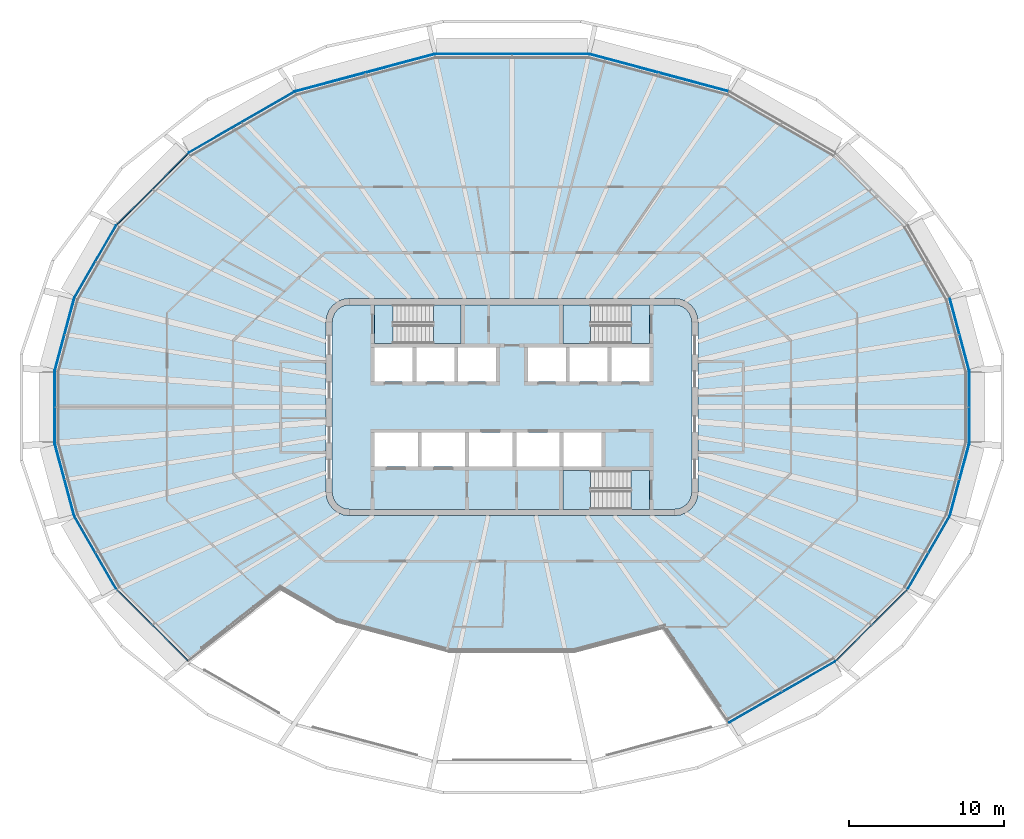
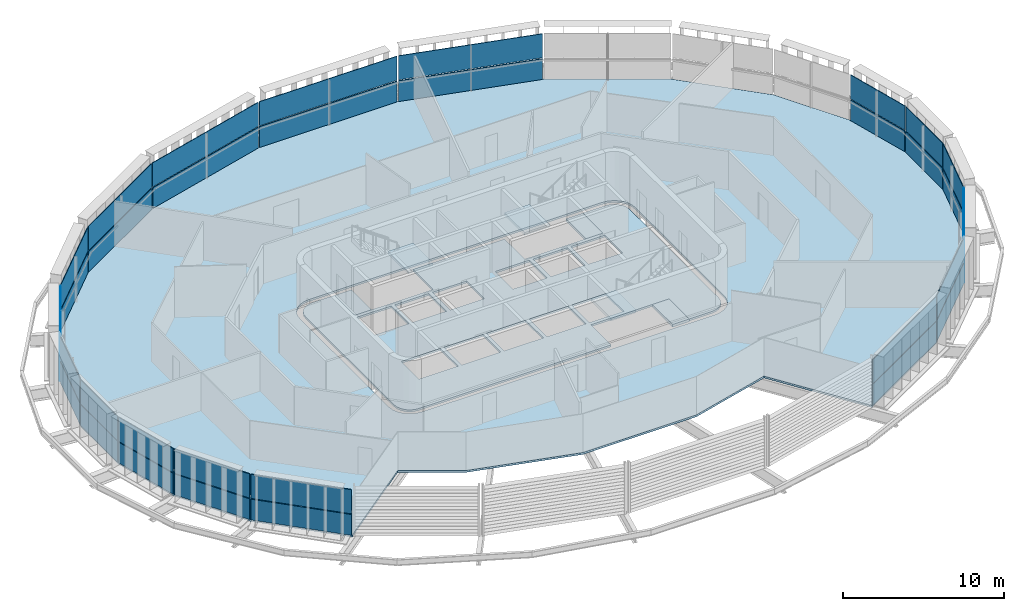
# One storey, part 9 of 19: 34 plates, 8 slabs, 20 elements without a shape of their own.
"""IFC4 building model written with IfcOpenShell, lengths in metres."""

import ifcopenshell
import ifcopenshell.guid

model = None  # the IFC model being written
_history = None  # IfcOwnerHistory: only IFC2X3 demands one
_inside = {}  # id of a spatial element -> (the spatial element, [elements in it])
_under = {}  # id of a project, library or spatial element -> (it, [spatial elements below it])
_declared = {}  # id of a project -> (the project, [libraries it declares])
_typed = {}  # id of a type object -> (the type object, [elements of that type])
_made_of = {}  # id of a material, layer set ... -> (it, [elements and type objects made of it])


def new_model(schema):
    """Start an empty IFC model of exactly this schema.

    Asked for "IFC4X3", IfcOpenShell would pick the latest addendum, in which some entities
    have other attributes; the version numbers below select the first issue.
    IFC2X3 requires an IfcOwnerHistory on every rooted entity: one is made here for all.
    """
    global model, _history
    if schema == "IFC4X3":
        model = ifcopenshell.file(schema_version=(4, 3, 0, 0))
    else:
        model = ifcopenshell.file(schema=schema)
    _inside.clear()
    _under.clear()
    _declared.clear()
    _typed.clear()
    _made_of.clear()
    _history = None
    if model.schema == "IFC2X3":
        org = make("IfcOrganization", Name="unknown")
        user = make(
            "IfcPersonAndOrganization",
            ThePerson=make("IfcPerson", FamilyName="unknown"),
            TheOrganization=org,
        )
        app = make(
            "IfcApplication",
            ApplicationDeveloper=org,
            Version="unknown",
            ApplicationFullName="unknown",
            ApplicationIdentifier="unknown",
        )
        _history = make(
            "IfcOwnerHistory",
            OwningUser=user,
            OwningApplication=app,
            ChangeAction="ADDED",
            CreationDate=0,
        )
    return model


def make(cls, **values):
    """One entity of the class cls with the attributes given. An attribute that is None is left unset."""
    return model.create_entity(
        cls, **{name: value for name, value in values.items() if value is not None}
    )


def rooted(cls, **values):
    """An entity with a GlobalId (a new one), such as an element, a storey or a relation."""
    return make(cls, GlobalId=ifcopenshell.guid.new(), OwnerHistory=_history, **values)


def si_unit(unit_type, name, prefix=None):
    """IfcSIUnit, for example si_unit("LENGTHUNIT", "METRE", prefix="MILLI")."""
    return make("IfcSIUnit", UnitType=unit_type, Prefix=prefix, Name=name)


def assignment(units):
    """IfcUnitAssignment: the units of a project."""
    return None if units is None else make("IfcUnitAssignment", Units=units)


def point(xyz):
    """IfcCartesianPoint."""
    return None if xyz is None else make("IfcCartesianPoint", Coordinates=xyz)


def direction(xyz):
    """IfcDirection."""
    return None if xyz is None else make("IfcDirection", DirectionRatios=xyz)


def frame(location, z_axis=None, x_axis=None):
    """IfcAxis2Placement3D, a coordinate frame: its origin and axes. An axis left out is left unset."""
    return make(
        "IfcAxis2Placement3D",
        Location=point(location),
        Axis=direction(z_axis),
        RefDirection=direction(x_axis),
    )


def origin():
    """The frame at (0, 0, 0) with its axes left unset."""
    return frame((0.0, 0.0, 0.0))


def place(relative_to, where):
    """IfcLocalPlacement: puts the frame where relative to a parent placement (None: the world)."""
    return make(
        "IfcLocalPlacement", PlacementRelTo=relative_to, RelativePlacement=where
    )


def context(
    kind, dimensions, precision=None, world=None, true_north=None, identifier=None
):
    """IfcGeometricRepresentationContext, for example the 3D "Model" context."""
    return make(
        "IfcGeometricRepresentationContext",
        ContextIdentifier=identifier,
        ContextType=kind,
        CoordinateSpaceDimension=dimensions,
        Precision=precision,
        WorldCoordinateSystem=world,
        TrueNorth=true_north,
    )


def subcontext(parent, identifier, kind, view, scale=None):
    """IfcGeometricRepresentationSubContext, for example "Body" below "Model"."""
    return make(
        "IfcGeometricRepresentationSubContext",
        ContextIdentifier=identifier,
        ContextType=kind,
        ParentContext=parent,
        TargetScale=scale,
        TargetView=view,
    )


def project(units=None, contexts=None):
    """IfcProject with its units and contexts."""
    return rooted(
        "IfcProject",
        Name="project",
        RepresentationContexts=contexts,
        UnitsInContext=assignment(units),
    )


def spatial(cls, under=None, at=None, **own):
    """A site, building, storey or space (cls), placed at a placement, below another one or the project."""
    s = rooted(cls, ObjectPlacement=at, **own)
    if under is not None:
        _under.setdefault(under.id(), (under, []))[1].append(s)
    return s


def polyline(points):
    """IfcPolyline through the points."""
    return make("IfcPolyline", Points=[point(p) for p in points])


def outline(outer, holes=None, kind="AREA"):
    """IfcArbitraryClosedProfileDef: a profile drawn as a closed curve; with holes, ...WithVoids."""
    if holes is None:
        return make("IfcArbitraryClosedProfileDef", ProfileType=kind, OuterCurve=outer)
    return make(
        "IfcArbitraryProfileDefWithVoids",
        ProfileType=kind,
        OuterCurve=outer,
        InnerCurves=holes,
    )


def extrude(swept, where, along, depth):
    """IfcExtrudedAreaSolid: the profile swept, set in the frame where, extruded along a direction by depth."""
    return make(
        "IfcExtrudedAreaSolid",
        SweptArea=swept,
        Position=where,
        ExtrudedDirection=direction(along),
        Depth=depth,
    )


def shape(context_of_items, identifier, shape_type, items):
    """IfcShapeRepresentation: the items that make up one representation, for example the "Body"."""
    return make(
        "IfcShapeRepresentation",
        ContextOfItems=context_of_items,
        RepresentationIdentifier=identifier,
        RepresentationType=shape_type,
        Items=items,
    )


def material(Name=None, Category=None):
    """IfcMaterial."""
    return make("IfcMaterial", Name=Name, Category=Category)


def layer(
    of_material, thickness, ventilated=None, Name=None, Category=None, Priority=None
):
    """IfcMaterialLayer: one layer of a wall or slab, of a material (None: an air gap)."""
    return make(
        "IfcMaterialLayer",
        Material=of_material,
        LayerThickness=thickness,
        IsVentilated=ventilated,
        Name=Name,
        Category=Category,
        Priority=Priority,
    )


def layer_set(layers, Name=None):
    """IfcMaterialLayerSet."""
    return make("IfcMaterialLayerSet", MaterialLayers=layers, LayerSetName=Name)


def made_of(thing, what):
    """Note that an element or type object is made of a material, layer set ...; save() writes the relation."""
    if what is not None:
        _made_of.setdefault(what.id(), (what, []))[1].append(thing)
    return thing


def type_object(cls, material=None, **own):
    """A type object (cls), such as IfcWallType, which elements share."""
    return made_of(rooted(cls, **own), material)


def element(
    cls,
    number,
    at=None,
    inside=None,
    cuts=None,
    type_object=None,
    material=None,
    context=None,
    identifier="Body",
    shape_type=None,
    held_by="IfcProductDefinitionShape",
    body=None,
    shapes=None,
    **own,
):
    """One element of the class cls, such as IfcWall. Its Tag is "e" and its number.

    at: its placement. inside: the storey or other place that contains it. cuts: it is an
    opening in that element (IfcRelVoidsElement). A single representation is given by context,
    identifier, shape_type and body (its items); several are given by shapes. held_by: the class
    of the entity that holds the representations. save() writes the other relations.
    """
    e = rooted(cls, Tag="e%d" % number, ObjectPlacement=at, **own)
    if body is not None:
        shapes = [shape(context, identifier, shape_type, body)]
    if shapes is not None:
        e.Representation = make(held_by, Representations=shapes)
    if inside is not None:
        _inside.setdefault(inside.id(), (inside, []))[1].append(e)
    if cuts is not None:
        rooted(
            "IfcRelVoidsElement", RelatingBuildingElement=cuts, RelatedOpeningElement=e
        )
    if type_object is not None:
        _typed.setdefault(type_object.id(), (type_object, []))[1].append(e)
    return made_of(e, material)


def aggregate(whole, parts):
    """IfcRelAggregates: a whole, such as a stair, and the parts it consists of."""
    return rooted("IfcRelAggregates", RelatingObject=whole, RelatedObjects=parts)


def save(model, path):
    """Write the relations noted so far, then the file.

    IfcRelAggregates (storeys below a building ...), IfcRelContainedInSpatialStructure (elements
    in a storey), IfcRelDefinesByType, IfcRelAssociatesMaterial and IfcRelDeclares: one each for
    every whole, place, type object, material and project.
    """
    for whole, parts in _under.values():
        aggregate(whole, parts)
    for where, things in _inside.values():
        rooted(
            "IfcRelContainedInSpatialStructure",
            RelatedElements=things,
            RelatingStructure=where,
        )
    for kind, things in _typed.values():
        rooted("IfcRelDefinesByType", RelatedObjects=things, RelatingType=kind)
    for what, things in _made_of.values():
        rooted("IfcRelAssociatesMaterial", RelatedObjects=things, RelatingMaterial=what)
    for by, libraries in _declared.values():
        rooted("IfcRelDeclares", RelatingContext=by, RelatedDefinitions=libraries)
    model.write(path)


model = new_model("IFC4")

# Units and contexts
model_context = context("Model", 3, precision=1e-05, world=origin(), true_north=direction((0.0, 1.0)))
body_context = subcontext(model_context, "Body", "Model", "MODEL_VIEW")
ifc_project = project(units=[si_unit("LENGTHUNIT", "METRE"), si_unit("AREAUNIT", "SQUARE_METRE"), si_unit("VOLUMEUNIT", "CUBIC_METRE"), si_unit("PLANEANGLEUNIT", "RADIAN"), si_unit("MASSUNIT", "GRAM", prefix="KILO")], contexts=[model_context])

# Site, building, storey
site_placement = place(None, origin())
site = spatial("IfcSite", under=ifc_project, at=site_placement, CompositionType="ELEMENT")
building_placement = place(site_placement, origin())
building = spatial("IfcBuilding", under=site, at=building_placement, Name="Sahrelin Media Tower", CompositionType="ELEMENT")
storey_placement = place(building_placement, frame((0.0, 0.0, 275.0)))
storey = spatial("IfcBuildingStorey", under=building, at=storey_placement, Name="L60", CompositionType="ELEMENT", Elevation=275.0)

# Slabs
ifc_material_1 = material(Name="Concrete C40/50", Category="concrete")
ifc_layer_1 = layer(ifc_material_1, 0.14990234375)
ifc_layer_set_1 = layer_set([ifc_layer_1], Name="Composite floor slab 150")
slab_type_1 = type_object("IfcSlabType", Name="Composite floor slab 150", PredefinedType="FLOOR", material=ifc_layer_set_1)
placement_1 = place(storey_placement, frame((0.0, 0.0, -0.14990234375)))
element("IfcSlab", 1, at=placement_1, inside=storey, type_object=slab_type_1, Name="Floor slab L60", PredefinedType="FLOOR", context=body_context, shape_type="SweptSolid", body=[
    extrude(outline(polyline([(28.23681640625, -7.022216796875), (29.493896484375, -2.330322265625), (29.493896484375, 2.330322265625), (28.23681640625, 7.022216796875), (25.50244140625, 11.75830078125), (20.886474609375, 16.374267578125), (13.996337890625, 20.352294921875), (4.97265625, 22.770263671875), (-4.97265625, 22.770263671875), (-13.996337890625, 20.352294921875), (-20.886474609375, 16.374267578125), (-25.50244140625, 11.75830078125), (-28.23681640625, 7.022216796875), (-29.493896484375, 2.330322265625), (-29.493896484375, -2.330322265625), (-28.23681640625, -7.022216796875), (-25.50244140625, -11.75830078125), (-20.886474609375, -16.374267578125), (-20.8818359375, -16.376953125), (-14.96240234375, -11.734619140625), (-11.302001953125, -13.847900390625), (-4.0537109375, -15.790283203125), (4.0537109375, -15.790283203125), (9.797119140625, -14.251220703125), (13.991943359375, -20.353515625), (13.996337890625, -20.352294921875), (20.886474609375, -16.374267578125), (25.50244140625, -11.75830078125), (28.23681640625, -7.022216796875)]), holes=[polyline([(11.799072265625, 6.25), (11.948974609375, 5.88818359375), (12.0, 5.5), (12.0, -5.5), (11.948974609375, -5.88818359375), (11.799072265625, -6.25), (11.560791015625, -6.560791015625), (11.25, -6.799072265625), (10.88818359375, -6.948974609375), (10.5, -7.0), (-10.5, -7.0), (-10.88818359375, -6.948974609375), (-11.25, -6.799072265625), (-11.560791015625, -6.560791015625), (-11.799072265625, -6.25), (-11.948974609375, -5.88818359375), (-12.0, -5.5), (-12.0, 5.5), (-11.948974609375, 5.88818359375), (-11.799072265625, 6.25), (-11.560791015625, 6.560791015625), (-11.25, 6.799072265625), (-10.88818359375, 6.948974609375), (-10.5, 7.0), (10.5, 7.0), (10.88818359375, 6.948974609375), (11.25, 6.799072265625), (11.560791015625, 6.560791015625), (11.799072265625, 6.25)])]), origin(), (0.0, 0.0, 1.0), 0.14990234375),
])
ifc_layer_2 = layer(ifc_material_1, 0.14990234375)
ifc_layer_set_2 = layer_set([ifc_layer_2], Name="Core floor slab 150")
slab_type_2 = type_object("IfcSlabType", Name="Core floor slab 150", PredefinedType="FLOOR", material=ifc_layer_set_2)
element("IfcSlab", 2, at=placement_1, inside=storey, type_object=slab_type_2, Name="Core floor", PredefinedType="FLOOR", context=body_context, shape_type="SweptSolid", body=[
    extrude(outline(polyline([(-11.60009765625, -5.473876953125), (-11.55908203125, -5.78369140625), (-11.44970703125, -6.04833984375), (-11.275390625, -6.275390625), (-11.04833984375, -6.44970703125), (-10.78369140625, -6.55908203125), (-10.473876953125, -6.60009765625), (3.27490234375, -6.60009765625), (3.27490234375, -4.10009765625), (8.875, -4.10009765625), (8.875, -6.60009765625), (10.473876953125, -6.60009765625), (10.78369140625, -6.55908203125), (11.04833984375, -6.44970703125), (11.275390625, -6.275390625), (11.44970703125, -6.04833984375), (11.55908203125, -5.78369140625), (11.60009765625, -5.473876953125), (11.60009765625, 5.473876953125), (11.55908203125, 5.78369140625), (11.44970703125, 6.04833984375), (11.275390625, 6.275390625), (11.04833984375, 6.44970703125), (10.78369140625, 6.55908203125), (10.473876953125, 6.60009765625), (8.875, 6.60009765625), (8.875, 4.10009765625), (3.27490234375, 4.10009765625), (3.27490234375, 6.60009765625), (-3.27490234375, 6.60009765625), (-3.27490234375, 4.10009765625), (-8.875, 4.10009765625), (-8.875, 6.60009765625), (-10.473876953125, 6.60009765625), (-10.78369140625, 6.55908203125), (-11.04833984375, 6.44970703125), (-11.275390625, 6.275390625), (-11.44970703125, 6.04833984375), (-11.55908203125, 5.78369140625), (-11.60009765625, 5.473876953125), (-11.60009765625, -5.473876953125)]), holes=[polyline([(-8.875, 3.85009765625), (-8.875, 1.64990234375), (-6.425048828125, 1.64990234375), (-6.425048828125, 3.85009765625), (-8.875, 3.85009765625)]), polyline([(-3.72509765625, 3.85009765625), (-6.175048828125, 3.85009765625), (-6.175048828125, 1.64990234375), (-3.72509765625, 1.64990234375), (-3.72509765625, 3.85009765625)]), polyline([(-1.02490234375, 1.64990234375), (-1.02490234375, 3.85009765625), (-3.47509765625, 3.85009765625), (-3.47509765625, 1.64990234375), (-1.02490234375, 1.64990234375)]), polyline([(1.02490234375, 1.64990234375), (3.47509765625, 1.64990234375), (3.47509765625, 3.85009765625), (1.02490234375, 3.85009765625), (1.02490234375, 1.64990234375)]), polyline([(3.72509765625, 3.85009765625), (3.72509765625, 1.64990234375), (6.175048828125, 1.64990234375), (6.175048828125, 3.85009765625), (3.72509765625, 3.85009765625)]), polyline([(8.875, 3.85009765625), (6.425048828125, 3.85009765625), (6.425048828125, 1.64990234375), (8.875, 1.64990234375), (8.875, 3.85009765625)]), polyline([(-6.074951171875, -3.85009765625), (-6.074951171875, -1.64990234375), (-8.875, -1.64990234375), (-8.875, -3.85009765625), (-6.074951171875, -3.85009765625)]), polyline([(-5.824951171875, -3.85009765625), (-3.02490234375, -3.85009765625), (-3.02490234375, -1.64990234375), (-5.824951171875, -1.64990234375), (-5.824951171875, -3.85009765625)]), polyline([(-2.77490234375, -1.64990234375), (-2.77490234375, -3.85009765625), (0.02490234375, -3.85009765625), (0.02490234375, -1.64990234375), (-2.77490234375, -1.64990234375)]), polyline([(3.074951171875, -1.64990234375), (0.27490234375, -1.64990234375), (0.27490234375, -3.85009765625), (3.074951171875, -3.85009765625), (3.074951171875, -1.64990234375)]), polyline([(5.77490234375, -3.85009765625), (5.77490234375, -1.64990234375), (3.324951171875, -1.64990234375), (3.324951171875, -3.85009765625), (5.77490234375, -3.85009765625)])]), origin(), (0.0, 0.0, 1.0), 0.14990234375),
])

# Curtain wall, plate
ifc_material_2 = material(Name="Champagne anodised aluminium 6063-T6", Category="aluminium")
ifc_layer_3 = layer(ifc_material_2, 0.14990234375)
ifc_layer_set_3 = layer_set([ifc_layer_3], Name="Tower ribbon curtain wall")
curtain_wall_type = type_object("IfcCurtainWallType", Name="Tower ribbon curtain wall", PredefinedType="NOTDEFINED", material=ifc_layer_set_3)
curtain_wall_1_placement = place(storey_placement, frame((29.513916015625, 0.0, 0.0), z_axis=(0.0, 0.0, 1.0), x_axis=(1.0, 0.0, 0.0)))
curtain_wall_1 = element("IfcCurtainWall", 3, at=curtain_wall_1_placement, inside=storey, type_object=curtain_wall_type, Name="L60:CW:L60-00", PredefinedType="NOTDEFINED")
ifc_material_3 = material(Name="Clear low-iron glazing", Category="glass")
ifc_layer_4 = layer(ifc_material_3, 0.048095703125)
ifc_layer_set_4 = layer_set([ifc_layer_4], Name="Glazing panel 48 mm CW1C")
plate_type_1 = type_object("IfcPlateType", Name="Glazing panel 48 mm CW1C", PredefinedType="CURTAIN_PANEL", material=ifc_layer_set_4)
plate_1_placement = place(storey_placement, frame((29.533935546875, -2.282958984375, 1.6298828125), z_axis=(1.0, 0.0, 0.0), x_axis=(0.0, 1.0, 0.0)))
plate_1 = element("IfcPlate", 4, at=plate_1_placement, type_object=plate_type_1, Name="L60:CWP2:L60-00", PredefinedType="CURTAIN_PANEL", context=body_context, shape_type="SweptSolid", body=[
    extrude(outline(polyline([(0.0, 0.0), (4.56591796875, 0.0), (4.56591796875, 1.818603515625), (0.0, 1.818603515625), (0.0, 0.0)])), origin(), (0.0, 0.0, -1.0), 0.048095703125),
])

curtain_wall_2_placement = place(storey_placement, frame((28.884765625, 4.681396484375, 0.0), z_axis=(0.0, 0.0, 1.0), x_axis=(1.0, 0.0, 0.0)))
curtain_wall_2 = element("IfcCurtainWall", 5, at=curtain_wall_2_placement, inside=storey, type_object=curtain_wall_type, Name="L60:CW:L60-01", PredefinedType="NOTDEFINED")
plate_2_placement = place(storey_placement, frame((29.5205078125, 2.386474609375, 1.6298828125), z_axis=(0.965925398675, 0.258820640976, 0.0), x_axis=(-0.258820640976, 0.965925398675, 0.0)))
plate_2 = element("IfcPlate", 6, at=plate_2_placement, type_object=plate_type_1, Name="L60:CWP2:L60-01", PredefinedType="CURTAIN_PANEL", context=body_context, shape_type="SweptSolid", body=[
    extrude(outline(polyline([(0.0, 0.0), (4.7626953125, 0.0), (4.7626953125, 1.818603515625), (0.0, 1.818603515625), (0.0, 0.0)])), origin(), (0.0, 0.0, -1.0), 0.048095703125),
])

curtain_wall_3_placement = place(storey_placement, frame((9.489501953125, 21.58056640625, 0.0), z_axis=(0.0, 0.0, 1.0), x_axis=(1.0, 0.0, 0.0)))
curtain_wall_3 = element("IfcCurtainWall", 7, at=curtain_wall_3_placement, inside=storey, type_object=curtain_wall_type, Name="L60:CW:L60-05", PredefinedType="NOTDEFINED")
plate_3_placement = place(storey_placement, frame((13.9609375, 20.4033203125, 1.6298828125), z_axis=(0.258814385666, 0.965927074769, 0.0), x_axis=(-0.965927074769, 0.258814385666, 0.0)))
plate_3 = element("IfcPlate", 8, at=plate_3_placement, type_object=plate_type_1, Name="L60:CWP2:L60-05", PredefinedType="CURTAIN_PANEL", context=body_context, shape_type="SweptSolid", body=[
    extrude(outline(polyline([(0.0, 0.0), (9.247314453125, 0.0), (9.247314453125, 1.818603515625), (0.0, 1.818603515625), (0.0, 0.0)])), origin(), (0.0, 0.0, -1.0), 0.048095703125),
])

curtain_wall_4_placement = place(storey_placement, frame((0.0, 22.790283203125, 0.0), z_axis=(0.0, 0.0, 1.0), x_axis=(1.0, 0.0, 0.0)))
curtain_wall_4 = element("IfcCurtainWall", 9, at=curtain_wall_4_placement, inside=storey, type_object=curtain_wall_type, Name="L60:CW:L60-06", PredefinedType="NOTDEFINED")
plate_4_placement = place(storey_placement, frame((4.92529296875, 22.810302734375, 1.6298828125), z_axis=(0.0, 1.0, 0.0), x_axis=(-1.0, 0.0, 0.0)))
plate_4 = element("IfcPlate", 10, at=plate_4_placement, type_object=plate_type_1, Name="L60:CWP2:L60-06", PredefinedType="CURTAIN_PANEL", context=body_context, shape_type="SweptSolid", body=[
    extrude(outline(polyline([(0.0, 0.0), (9.8505859375, 0.0), (9.8505859375, 1.818603515625), (0.0, 1.818603515625), (0.0, 0.0)])), origin(), (0.0, 0.0, -1.0), 0.048095703125),
])

curtain_wall_5_placement = place(storey_placement, frame((-9.489501953125, 21.58056640625, 0.0), z_axis=(0.0, 0.0, 1.0), x_axis=(1.0, 0.0, 0.0)))
curtain_wall_5 = element("IfcCurtainWall", 11, at=curtain_wall_5_placement, inside=storey, type_object=curtain_wall_type, Name="L60:CW:L60-07", PredefinedType="NOTDEFINED")
plate_5_placement = place(storey_placement, frame((-5.02880859375, 22.796630859375, 1.6298828125), z_axis=(-0.258814385666, 0.965927074769, 0.0), x_axis=(-0.965927074769, -0.258814385666, 0.0)))
plate_5 = element("IfcPlate", 12, at=plate_5_placement, type_object=plate_type_1, Name="L60:CWP2:L60-07", PredefinedType="CURTAIN_PANEL", context=body_context, shape_type="SweptSolid", body=[
    extrude(outline(polyline([(0.0, 0.0), (9.247314453125, 0.0), (9.247314453125, 1.818603515625), (0.0, 1.818603515625), (0.0, 0.0)])), origin(), (0.0, 0.0, -1.0), 0.048095703125),
])

curtain_wall_6_placement = place(storey_placement, frame((-17.451416015625, 18.380615234375, 0.0), z_axis=(0.0, 0.0, 1.0), x_axis=(1.0, 0.0, 0.0)))
curtain_wall_6 = element("IfcCurtainWall", 13, at=curtain_wall_6_placement, inside=storey, type_object=curtain_wall_type, Name="L60:CW:L60-08", PredefinedType="NOTDEFINED")
plate_6_placement = place(storey_placement, frame((-14.057373046875, 20.36328125, 1.6298828125), z_axis=(-0.500000242082, 0.866025264018, 0.0), x_axis=(-0.866025264018, -0.500000242082, 0.0)))
plate_6 = element("IfcPlate", 14, at=plate_6_placement, type_object=plate_type_1, Name="L60:CWP2:L60-08", PredefinedType="CURTAIN_PANEL", context=body_context, shape_type="SweptSolid", body=[
    extrude(outline(polyline([(0.0, 0.0), (7.861328125, 0.0), (7.861328125, 1.818603515625), (0.0, 1.818603515625), (0.0, 0.0)])), origin(), (0.0, 0.0, -1.0), 0.048095703125),
])

curtain_wall_7_placement = place(storey_placement, frame((-23.208740234375, 14.080322265625, 0.0), z_axis=(0.0, 0.0, 1.0), x_axis=(1.0, 0.0, 0.0)))
curtain_wall_7 = element("IfcCurtainWall", 15, at=curtain_wall_7_placement, inside=storey, type_object=curtain_wall_type, Name="L60:CW:L60-09", PredefinedType="NOTDEFINED")
plate_7_placement = place(storey_placement, frame((-20.9482421875, 16.368896484375, 1.6298828125), z_axis=(-0.707087805841, 0.707125756023, 0.0), x_axis=(-0.707125756023, -0.707087805841, 0.0)))
plate_7 = element("IfcPlate", 16, at=plate_7_placement, type_object=plate_type_1, Name="L60:CWP2:L60-09", PredefinedType="CURTAIN_PANEL", context=body_context, shape_type="SweptSolid", body=[
    extrude(outline(polyline([(0.0, 0.0), (6.43310546875, 0.0), (6.43310546875, 1.818603515625), (0.0, 1.818603515625), (0.0, 0.0)])), origin(), (0.0, 0.0, -1.0), 0.048095703125),
])

curtain_wall_8_placement = place(storey_placement, frame((-26.886962890625, 9.400146484375, 0.0), z_axis=(0.0, 0.0, 1.0), x_axis=(1.0, 0.0, 0.0)))
curtain_wall_8 = element("IfcCurtainWall", 17, at=curtain_wall_8_placement, inside=storey, type_object=curtain_wall_type, Name="L60:CW:L60-10", PredefinedType="NOTDEFINED")
plate_8_placement = place(storey_placement, frame((-25.560791015625, 11.7373046875, 1.6298828125), z_axis=(-0.866025958161, 0.49999903979, 0.0), x_axis=(-0.49999903979, -0.866025958161, 0.0)))
plate_8 = element("IfcPlate", 18, at=plate_8_placement, type_object=plate_type_1, Name="L60:CWP2:L60-10", PredefinedType="CURTAIN_PANEL", context=body_context, shape_type="SweptSolid", body=[
    extrude(outline(polyline([(0.0, 0.0), (5.3740234375, 0.0), (5.3740234375, 1.818603515625), (0.0, 1.818603515625), (0.0, 0.0)])), origin(), (0.0, 0.0, -1.0), 0.048095703125),
])

curtain_wall_9_placement = place(storey_placement, frame((-28.884765625, 4.681396484375, 0.0), z_axis=(0.0, 0.0, 1.0), x_axis=(1.0, 0.0, 0.0)))
curtain_wall_9 = element("IfcCurtainWall", 19, at=curtain_wall_9_placement, inside=storey, type_object=curtain_wall_type, Name="L60:CW:L60-11", PredefinedType="NOTDEFINED")
plate_9_placement = place(storey_placement, frame((-28.287841796875, 6.98681640625, 1.6298828125), z_axis=(-0.965925398675, 0.258820640976, 0.0), x_axis=(-0.258820640976, -0.965925398675, 0.0)))
plate_9 = element("IfcPlate", 20, at=plate_9_placement, type_object=plate_type_1, Name="L60:CWP2:L60-11", PredefinedType="CURTAIN_PANEL", context=body_context, shape_type="SweptSolid", body=[
    extrude(outline(polyline([(0.0, 0.0), (4.7626953125, 0.0), (4.7626953125, 1.818603515625), (0.0, 1.818603515625), (0.0, 0.0)])), origin(), (0.0, 0.0, -1.0), 0.048095703125),
])

curtain_wall_10_placement = place(storey_placement, frame((-29.513916015625, 0.0, 0.0), z_axis=(0.0, 0.0, 1.0), x_axis=(1.0, 0.0, 0.0)))
curtain_wall_10 = element("IfcCurtainWall", 21, at=curtain_wall_10_placement, inside=storey, type_object=curtain_wall_type, Name="L60:CW:L60-12", PredefinedType="NOTDEFINED")
plate_10_placement = place(storey_placement, frame((-29.533935546875, 2.282958984375, 1.6298828125), z_axis=(-1.0, 0.0, 0.0), x_axis=(0.0, -1.0, 0.0)))
plate_10 = element("IfcPlate", 22, at=plate_10_placement, type_object=plate_type_1, Name="L60:CWP2:L60-12", PredefinedType="CURTAIN_PANEL", context=body_context, shape_type="SweptSolid", body=[
    extrude(outline(polyline([(0.0, 0.0), (4.56591796875, 0.0), (4.56591796875, 1.818603515625), (0.0, 1.818603515625), (0.0, 0.0)])), origin(), (0.0, 0.0, -1.0), 0.048095703125),
])

curtain_wall_11_placement = place(storey_placement, frame((-28.884765625, -4.681396484375, 0.0), z_axis=(0.0, 0.0, 1.0), x_axis=(1.0, 0.0, 0.0)))
curtain_wall_11 = element("IfcCurtainWall", 23, at=curtain_wall_11_placement, inside=storey, type_object=curtain_wall_type, Name="L60:CW:L60-13", PredefinedType="NOTDEFINED")
plate_11_placement = place(storey_placement, frame((-29.5205078125, -2.386474609375, 1.6298828125), z_axis=(-0.965925398675, -0.258820640976, 0.0), x_axis=(0.258820640976, -0.965925398675, 0.0)))
plate_11 = element("IfcPlate", 24, at=plate_11_placement, type_object=plate_type_1, Name="L60:CWP2:L60-13", PredefinedType="CURTAIN_PANEL", context=body_context, shape_type="SweptSolid", body=[
    extrude(outline(polyline([(0.0, 0.0), (4.7626953125, 0.0), (4.7626953125, 1.818603515625), (0.0, 1.818603515625), (0.0, 0.0)])), origin(), (0.0, 0.0, -1.0), 0.048095703125),
])

curtain_wall_12_placement = place(storey_placement, frame((-26.886962890625, -9.400146484375, 0.0), z_axis=(0.0, 0.0, 1.0), x_axis=(1.0, 0.0, 0.0)))
curtain_wall_12 = element("IfcCurtainWall", 25, at=curtain_wall_12_placement, inside=storey, type_object=curtain_wall_type, Name="L60:CW:L60-14", PredefinedType="NOTDEFINED")
plate_12_placement = place(storey_placement, frame((-28.247802734375, -7.083251953125, 1.6298828125), z_axis=(-0.866025958161, -0.49999903979, 0.0), x_axis=(0.49999903979, -0.866025958161, 0.0)))
plate_12 = element("IfcPlate", 26, at=plate_12_placement, type_object=plate_type_1, Name="L60:CWP2:L60-14", PredefinedType="CURTAIN_PANEL", context=body_context, shape_type="SweptSolid", body=[
    extrude(outline(polyline([(0.0, 0.0), (5.3740234375, 0.0), (5.3740234375, 1.818603515625), (0.0, 1.818603515625), (0.0, 0.0)])), origin(), (0.0, 0.0, -1.0), 0.048095703125),
])

curtain_wall_13_placement = place(storey_placement, frame((-23.20849609375, -14.080322265625, 0.0), z_axis=(0.0, 0.0, 1.0), x_axis=(1.0, 0.0, 0.0)))
curtain_wall_13 = element("IfcCurtainWall", 27, at=curtain_wall_13_placement, inside=storey, type_object=curtain_wall_type, Name="L60:CW:L60-15", PredefinedType="NOTDEFINED")
plate_13_placement = place(storey_placement, frame((-25.497314453125, -11.820068359375, 1.6298828125), z_axis=(-0.707087805841, -0.707125756023, 0.0), x_axis=(0.707125756023, -0.707087805841, 0.0)))
plate_13 = element("IfcPlate", 28, at=plate_13_placement, type_object=plate_type_1, Name="L60:CWP2:L60-15", PredefinedType="CURTAIN_PANEL", context=body_context, shape_type="SweptSolid", body=[
    extrude(outline(polyline([(0.0, 0.0), (6.43310546875, 0.0), (6.43310546875, 1.818603515625), (0.0, 1.818603515625), (0.0, 0.0)])), origin(), (0.0, 0.0, -1.0), 0.048095703125),
])

curtain_wall_14_placement = place(storey_placement, frame((17.451416015625, -18.380615234375, 0.0), z_axis=(0.0, 0.0, 1.0), x_axis=(1.0, 0.0, 0.0)))
curtain_wall_14 = element("IfcCurtainWall", 29, at=curtain_wall_14_placement, inside=storey, type_object=curtain_wall_type, Name="L60:CW:L60-20", PredefinedType="NOTDEFINED")
plate_14_placement = place(storey_placement, frame((14.057373046875, -20.36328125, 1.6298828125), z_axis=(0.500000242082, -0.866025264018, 0.0), x_axis=(0.866025264018, 0.500000242082, 0.0)))
plate_14 = element("IfcPlate", 30, at=plate_14_placement, type_object=plate_type_1, Name="L60:CWP2:L60-20", PredefinedType="CURTAIN_PANEL", context=body_context, shape_type="SweptSolid", body=[
    extrude(outline(polyline([(0.0, 0.0), (7.861328125, 0.0), (7.861328125, 1.818603515625), (0.0, 1.818603515625), (0.0, 0.0)])), origin(), (0.0, 0.0, -1.0), 0.048095703125),
])

curtain_wall_15_placement = place(storey_placement, frame((23.208740234375, -14.080322265625, 0.0), z_axis=(0.0, 0.0, 1.0), x_axis=(1.0, 0.0, 0.0)))
curtain_wall_15 = element("IfcCurtainWall", 31, at=curtain_wall_15_placement, inside=storey, type_object=curtain_wall_type, Name="L60:CW:L60-21", PredefinedType="NOTDEFINED")
plate_15_placement = place(storey_placement, frame((20.9482421875, -16.368896484375, 1.6298828125), z_axis=(0.707087805841, -0.707125756023, 0.0), x_axis=(0.707125756023, 0.707087805841, 0.0)))
plate_15 = element("IfcPlate", 32, at=plate_15_placement, type_object=plate_type_1, Name="L60:CWP2:L60-21", PredefinedType="CURTAIN_PANEL", context=body_context, shape_type="SweptSolid", body=[
    extrude(outline(polyline([(0.0, 0.0), (6.43310546875, 0.0), (6.43310546875, 1.818603515625), (0.0, 1.818603515625), (0.0, 0.0)])), origin(), (0.0, 0.0, -1.0), 0.048095703125),
])

curtain_wall_16_placement = place(storey_placement, frame((26.886962890625, -9.400146484375, 0.0), z_axis=(0.0, 0.0, 1.0), x_axis=(1.0, 0.0, 0.0)))
curtain_wall_16 = element("IfcCurtainWall", 33, at=curtain_wall_16_placement, inside=storey, type_object=curtain_wall_type, Name="L60:CW:L60-22", PredefinedType="NOTDEFINED")
plate_16_placement = place(storey_placement, frame((25.560791015625, -11.7373046875, 1.6298828125), z_axis=(0.866025958161, -0.49999903979, 0.0), x_axis=(0.49999903979, 0.866025958161, 0.0)))
plate_16 = element("IfcPlate", 34, at=plate_16_placement, type_object=plate_type_1, Name="L60:CWP2:L60-22", PredefinedType="CURTAIN_PANEL", context=body_context, shape_type="SweptSolid", body=[
    extrude(outline(polyline([(0.0, 0.0), (5.3740234375, 0.0), (5.3740234375, 1.818603515625), (0.0, 1.818603515625), (0.0, 0.0)])), origin(), (0.0, 0.0, -1.0), 0.048095703125),
])

curtain_wall_17_placement = place(storey_placement, frame((28.884765625, -4.681396484375, 0.0), z_axis=(0.0, 0.0, 1.0), x_axis=(1.0, 0.0, 0.0)))
curtain_wall_17 = element("IfcCurtainWall", 35, at=curtain_wall_17_placement, inside=storey, type_object=curtain_wall_type, Name="L60:CW:L60-23", PredefinedType="NOTDEFINED")
plate_17_placement = place(storey_placement, frame((28.287841796875, -6.98681640625, 1.6298828125), z_axis=(0.965925398675, -0.258820640976, 0.0), x_axis=(0.258820640976, 0.965925398675, 0.0)))
plate_17 = element("IfcPlate", 36, at=plate_17_placement, type_object=plate_type_1, Name="L60:CWP2:L60-23", PredefinedType="CURTAIN_PANEL", context=body_context, shape_type="SweptSolid", body=[
    extrude(outline(polyline([(0.0, 0.0), (4.7626953125, 0.0), (4.7626953125, 1.818603515625), (0.0, 1.818603515625), (0.0, 0.0)])), origin(), (0.0, 0.0, -1.0), 0.048095703125),
])

# Plate
ifc_material_4 = material(Name="Insulated spandrel panel")
ifc_layer_5 = layer(ifc_material_4, 0.06005859375)
ifc_layer_set_5 = layer_set([ifc_layer_5], Name="Spandrel panel 60 mm CW1")
plate_type_2 = type_object("IfcPlateType", Name="Spandrel panel 60 mm CW1", PredefinedType="SHEET", material=ifc_layer_set_5)
plate_18_placement = place(storey_placement, frame((29.533935546875, -2.282958984375, 0.0), z_axis=(1.0, 0.0, 0.0), x_axis=(0.0, 1.0, 0.0)))
plate_18 = element("IfcPlate", 37, at=plate_18_placement, type_object=plate_type_2, Name="L60:CWP1:L60-00", PredefinedType="SHEET", context=body_context, shape_type="SweptSolid", body=[
    extrude(outline(polyline([(0.0, 0.0), (4.56591796875, 0.0), (4.56591796875, 1.570068359375), (0.0, 1.570068359375), (0.0, 0.0)])), origin(), (0.0, 0.0, -1.0), 0.06005859375),
])

aggregate(curtain_wall_1, [plate_18, plate_1])

plate_19_placement = place(storey_placement, frame((29.5205078125, 2.386474609375, 0.0), z_axis=(0.965925398675, 0.258820640976, 0.0), x_axis=(-0.258820640976, 0.965925398675, 0.0)))
plate_19 = element("IfcPlate", 38, at=plate_19_placement, type_object=plate_type_2, Name="L60:CWP1:L60-01", PredefinedType="SHEET", context=body_context, shape_type="SweptSolid", body=[
    extrude(outline(polyline([(0.0, 0.0), (4.7626953125, 0.0), (4.7626953125, 1.570068359375), (0.0, 1.570068359375), (0.0, 0.0)])), origin(), (0.0, 0.0, -1.0), 0.06005859375),
])

aggregate(curtain_wall_2, [plate_19, plate_2])

plate_20_placement = place(storey_placement, frame((13.9609375, 20.4033203125, 0.0), z_axis=(0.258814385666, 0.965927074769, 0.0), x_axis=(-0.965927074769, 0.258814385666, 0.0)))
plate_20 = element("IfcPlate", 39, at=plate_20_placement, type_object=plate_type_2, Name="L60:CWP1:L60-05", PredefinedType="SHEET", context=body_context, shape_type="SweptSolid", body=[
    extrude(outline(polyline([(0.0, 0.0), (9.247314453125, 0.0), (9.247314453125, 1.570068359375), (0.0, 1.570068359375), (0.0, 0.0)])), origin(), (0.0, 0.0, -1.0), 0.06005859375),
])

aggregate(curtain_wall_3, [plate_20, plate_3])

plate_21_placement = place(storey_placement, frame((4.92529296875, 22.810302734375, 0.0), z_axis=(0.0, 1.0, 0.0), x_axis=(-1.0, 0.0, 0.0)))
plate_21 = element("IfcPlate", 40, at=plate_21_placement, type_object=plate_type_2, Name="L60:CWP1:L60-06", PredefinedType="SHEET", context=body_context, shape_type="SweptSolid", body=[
    extrude(outline(polyline([(0.0, 0.0), (9.8505859375, 0.0), (9.8505859375, 1.570068359375), (0.0, 1.570068359375), (0.0, 0.0)])), origin(), (0.0, 0.0, -1.0), 0.06005859375),
])

aggregate(curtain_wall_4, [plate_21, plate_4])

plate_22_placement = place(storey_placement, frame((-5.02880859375, 22.796630859375, 0.0), z_axis=(-0.258814385666, 0.965927074769, 0.0), x_axis=(-0.965927074769, -0.258814385666, 0.0)))
plate_22 = element("IfcPlate", 41, at=plate_22_placement, type_object=plate_type_2, Name="L60:CWP1:L60-07", PredefinedType="SHEET", context=body_context, shape_type="SweptSolid", body=[
    extrude(outline(polyline([(0.0, 0.0), (9.247314453125, 0.0), (9.247314453125, 1.570068359375), (0.0, 1.570068359375), (0.0, 0.0)])), origin(), (0.0, 0.0, -1.0), 0.06005859375),
])

aggregate(curtain_wall_5, [plate_22, plate_5])

plate_23_placement = place(storey_placement, frame((-14.057373046875, 20.36328125, 0.0), z_axis=(-0.500000242082, 0.866025264018, 0.0), x_axis=(-0.866025264018, -0.500000242082, 0.0)))
plate_23 = element("IfcPlate", 42, at=plate_23_placement, type_object=plate_type_2, Name="L60:CWP1:L60-08", PredefinedType="SHEET", context=body_context, shape_type="SweptSolid", body=[
    extrude(outline(polyline([(0.0, 0.0), (7.861328125, 0.0), (7.861328125, 1.570068359375), (0.0, 1.570068359375), (0.0, 0.0)])), origin(), (0.0, 0.0, -1.0), 0.06005859375),
])

aggregate(curtain_wall_6, [plate_23, plate_6])

plate_24_placement = place(storey_placement, frame((-20.9482421875, 16.368896484375, 0.0), z_axis=(-0.707087805841, 0.707125756023, 0.0), x_axis=(-0.707125756023, -0.707087805841, 0.0)))
plate_24 = element("IfcPlate", 43, at=plate_24_placement, type_object=plate_type_2, Name="L60:CWP1:L60-09", PredefinedType="SHEET", context=body_context, shape_type="SweptSolid", body=[
    extrude(outline(polyline([(0.0, 0.0), (6.43310546875, 0.0), (6.43310546875, 1.570068359375), (0.0, 1.570068359375), (0.0, 0.0)])), origin(), (0.0, 0.0, -1.0), 0.06005859375),
])

aggregate(curtain_wall_7, [plate_24, plate_7])

plate_25_placement = place(storey_placement, frame((-25.560791015625, 11.7373046875, 0.0), z_axis=(-0.866025958161, 0.49999903979, 0.0), x_axis=(-0.49999903979, -0.866025958161, 0.0)))
plate_25 = element("IfcPlate", 44, at=plate_25_placement, type_object=plate_type_2, Name="L60:CWP1:L60-10", PredefinedType="SHEET", context=body_context, shape_type="SweptSolid", body=[
    extrude(outline(polyline([(0.0, 0.0), (5.3740234375, 0.0), (5.3740234375, 1.570068359375), (0.0, 1.570068359375), (0.0, 0.0)])), origin(), (0.0, 0.0, -1.0), 0.06005859375),
])

aggregate(curtain_wall_8, [plate_25, plate_8])

plate_26_placement = place(storey_placement, frame((-28.287841796875, 6.98681640625, 0.0), z_axis=(-0.965925398675, 0.258820640976, 0.0), x_axis=(-0.258820640976, -0.965925398675, 0.0)))
plate_26 = element("IfcPlate", 45, at=plate_26_placement, type_object=plate_type_2, Name="L60:CWP1:L60-11", PredefinedType="SHEET", context=body_context, shape_type="SweptSolid", body=[
    extrude(outline(polyline([(0.0, 0.0), (4.7626953125, 0.0), (4.7626953125, 1.570068359375), (0.0, 1.570068359375), (0.0, 0.0)])), origin(), (0.0, 0.0, -1.0), 0.06005859375),
])

aggregate(curtain_wall_9, [plate_26, plate_9])

plate_27_placement = place(storey_placement, frame((-29.533935546875, 2.282958984375, 0.0), z_axis=(-1.0, 0.0, 0.0), x_axis=(0.0, -1.0, 0.0)))
plate_27 = element("IfcPlate", 46, at=plate_27_placement, type_object=plate_type_2, Name="L60:CWP1:L60-12", PredefinedType="SHEET", context=body_context, shape_type="SweptSolid", body=[
    extrude(outline(polyline([(0.0, 0.0), (4.56591796875, 0.0), (4.56591796875, 1.570068359375), (0.0, 1.570068359375), (0.0, 0.0)])), origin(), (0.0, 0.0, -1.0), 0.06005859375),
])

aggregate(curtain_wall_10, [plate_27, plate_10])

plate_28_placement = place(storey_placement, frame((-29.5205078125, -2.386474609375, 0.0), z_axis=(-0.965925398675, -0.258820640976, 0.0), x_axis=(0.258820640976, -0.965925398675, 0.0)))
plate_28 = element("IfcPlate", 47, at=plate_28_placement, type_object=plate_type_2, Name="L60:CWP1:L60-13", PredefinedType="SHEET", context=body_context, shape_type="SweptSolid", body=[
    extrude(outline(polyline([(0.0, 0.0), (4.7626953125, 0.0), (4.7626953125, 1.570068359375), (0.0, 1.570068359375), (0.0, 0.0)])), origin(), (0.0, 0.0, -1.0), 0.06005859375),
])

aggregate(curtain_wall_11, [plate_28, plate_11])

plate_29_placement = place(storey_placement, frame((-28.247802734375, -7.083251953125, 0.0), z_axis=(-0.866025958161, -0.49999903979, 0.0), x_axis=(0.49999903979, -0.866025958161, 0.0)))
plate_29 = element("IfcPlate", 48, at=plate_29_placement, type_object=plate_type_2, Name="L60:CWP1:L60-14", PredefinedType="SHEET", context=body_context, shape_type="SweptSolid", body=[
    extrude(outline(polyline([(0.0, 0.0), (5.3740234375, 0.0), (5.3740234375, 1.570068359375), (0.0, 1.570068359375), (0.0, 0.0)])), origin(), (0.0, 0.0, -1.0), 0.06005859375),
])

aggregate(curtain_wall_12, [plate_29, plate_12])

plate_30_placement = place(storey_placement, frame((-25.497314453125, -11.820068359375, 0.0), z_axis=(-0.707087805841, -0.707125756023, 0.0), x_axis=(0.707125756023, -0.707087805841, 0.0)))
plate_30 = element("IfcPlate", 49, at=plate_30_placement, type_object=plate_type_2, Name="L60:CWP1:L60-15", PredefinedType="SHEET", context=body_context, shape_type="SweptSolid", body=[
    extrude(outline(polyline([(0.0, 0.0), (6.43310546875, 0.0), (6.43310546875, 1.570068359375), (0.0, 1.570068359375), (0.0, 0.0)])), origin(), (0.0, 0.0, -1.0), 0.06005859375),
])

aggregate(curtain_wall_13, [plate_30, plate_13])

plate_31_placement = place(storey_placement, frame((14.057373046875, -20.36328125, 0.0), z_axis=(0.500000242082, -0.866025264018, 0.0), x_axis=(0.866025264018, 0.500000242082, 0.0)))
plate_31 = element("IfcPlate", 50, at=plate_31_placement, type_object=plate_type_2, Name="L60:CWP1:L60-20", PredefinedType="SHEET", context=body_context, shape_type="SweptSolid", body=[
    extrude(outline(polyline([(0.0, 0.0), (7.861328125, 0.0), (7.861328125, 1.570068359375), (0.0, 1.570068359375), (0.0, 0.0)])), origin(), (0.0, 0.0, -1.0), 0.06005859375),
])

aggregate(curtain_wall_14, [plate_31, plate_14])

plate_32_placement = place(storey_placement, frame((20.9482421875, -16.368896484375, 0.0), z_axis=(0.707087805841, -0.707125756023, 0.0), x_axis=(0.707125756023, 0.707087805841, 0.0)))
plate_32 = element("IfcPlate", 51, at=plate_32_placement, type_object=plate_type_2, Name="L60:CWP1:L60-21", PredefinedType="SHEET", context=body_context, shape_type="SweptSolid", body=[
    extrude(outline(polyline([(0.0, 0.0), (6.43310546875, 0.0), (6.43310546875, 1.570068359375), (0.0, 1.570068359375), (0.0, 0.0)])), origin(), (0.0, 0.0, -1.0), 0.06005859375),
])

aggregate(curtain_wall_15, [plate_32, plate_15])

plate_33_placement = place(storey_placement, frame((25.560791015625, -11.7373046875, 0.0), z_axis=(0.866025958161, -0.49999903979, 0.0), x_axis=(0.49999903979, 0.866025958161, 0.0)))
plate_33 = element("IfcPlate", 52, at=plate_33_placement, type_object=plate_type_2, Name="L60:CWP1:L60-22", PredefinedType="SHEET", context=body_context, shape_type="SweptSolid", body=[
    extrude(outline(polyline([(0.0, 0.0), (5.3740234375, 0.0), (5.3740234375, 1.570068359375), (0.0, 1.570068359375), (0.0, 0.0)])), origin(), (0.0, 0.0, -1.0), 0.06005859375),
])

aggregate(curtain_wall_16, [plate_33, plate_16])

plate_34_placement = place(storey_placement, frame((28.287841796875, -6.98681640625, 0.0), z_axis=(0.965925398675, -0.258820640976, 0.0), x_axis=(0.258820640976, 0.965925398675, 0.0)))
plate_34 = element("IfcPlate", 53, at=plate_34_placement, type_object=plate_type_2, Name="L60:CWP1:L60-23", PredefinedType="SHEET", context=body_context, shape_type="SweptSolid", body=[
    extrude(outline(polyline([(0.0, 0.0), (4.7626953125, 0.0), (4.7626953125, 1.570068359375), (0.0, 1.570068359375), (0.0, 0.0)])), origin(), (0.0, 0.0, -1.0), 0.06005859375),
])

aggregate(curtain_wall_17, [plate_34, plate_17])

# Stair, slabs
stair_type = type_object("IfcStairType", Name="Exit stair 1200", PredefinedType="HALF_TURN_STAIR", material=ifc_material_1)
placement_2 = place(storey_placement, origin())
stair_1 = element("IfcStair", 54, at=placement_2, inside=storey, type_object=stair_type, Name="L60 Exit stair ST1", PredefinedType="HALF_TURN_STAIR")
ifc_layer_6 = layer(ifc_material_1, 0.199951171875)
ifc_layer_set_6 = layer_set([ifc_layer_6], Name="Stair landing 200")
slab_type_3 = type_object("IfcSlabType", Name="Stair landing 200", PredefinedType="LANDING", material=ifc_layer_set_6)
placement_3 = place(storey_placement, frame((0.0, 0.0, 1.800048828125)))
slab_3 = element("IfcSlab", 55, at=placement_3, type_object=slab_type_3, Name="ST1 landing 1", PredefinedType="LANDING", context=body_context, shape_type="SweptSolid", body=[
    extrude(outline(polyline([(-5.074951171875, 4.10009765625), (-3.27490234375, 4.10009765625), (-3.27490234375, 6.60009765625), (-5.074951171875, 6.60009765625), (-5.074951171875, 4.10009765625)])), origin(), (0.0, 0.0, 1.0), 0.199951171875),
])
placement_4 = place(storey_placement, frame((0.0, 0.0, -0.199951171875)))
slab_4 = element("IfcSlab", 56, at=placement_4, type_object=slab_type_3, Name="ST1 landing 2", PredefinedType="LANDING", context=body_context, shape_type="SweptSolid", body=[
    extrude(outline(polyline([(-8.875, 4.10009765625), (-7.675048828125, 4.10009765625), (-7.675048828125, 6.60009765625), (-8.875, 6.60009765625), (-8.875, 4.10009765625)])), origin(), (0.0, 0.0, 1.0), 0.199951171875),
])
aggregate(stair_1, [slab_3, slab_4])

stair_2 = element("IfcStair", 57, at=placement_2, inside=storey, type_object=stair_type, Name="L60 Exit stair ST3", PredefinedType="HALF_TURN_STAIR")
slab_5 = element("IfcSlab", 58, at=placement_3, type_object=slab_type_3, Name="ST3 landing 1", PredefinedType="LANDING", context=body_context, shape_type="SweptSolid", body=[
    extrude(outline(polyline([(5.074951171875, 6.60009765625), (3.27490234375, 6.60009765625), (3.27490234375, 4.10009765625), (5.074951171875, 4.10009765625), (5.074951171875, 6.60009765625)])), origin(), (0.0, 0.0, 1.0), 0.199951171875),
])
slab_6 = element("IfcSlab", 59, at=placement_4, type_object=slab_type_3, Name="ST3 landing 2", PredefinedType="LANDING", context=body_context, shape_type="SweptSolid", body=[
    extrude(outline(polyline([(8.875, 6.60009765625), (7.675048828125, 6.60009765625), (7.675048828125, 4.10009765625), (8.875, 4.10009765625), (8.875, 6.60009765625)])), origin(), (0.0, 0.0, 1.0), 0.199951171875),
])
aggregate(stair_2, [slab_5, slab_6])

stair_3 = element("IfcStair", 60, at=placement_2, inside=storey, type_object=stair_type, Name="L60 Exit stair ST2", PredefinedType="HALF_TURN_STAIR")
slab_7 = element("IfcSlab", 61, at=placement_3, type_object=slab_type_3, Name="ST2 landing 1", PredefinedType="LANDING", context=body_context, shape_type="SweptSolid", body=[
    extrude(outline(polyline([(5.074951171875, -4.10009765625), (3.27490234375, -4.10009765625), (3.27490234375, -6.60009765625), (5.074951171875, -6.60009765625), (5.074951171875, -4.10009765625)])), origin(), (0.0, 0.0, 1.0), 0.199951171875),
])
slab_8 = element("IfcSlab", 62, at=placement_4, type_object=slab_type_3, Name="ST2 landing 2", PredefinedType="LANDING", context=body_context, shape_type="SweptSolid", body=[
    extrude(outline(polyline([(8.875, -4.10009765625), (7.675048828125, -4.10009765625), (7.675048828125, -6.60009765625), (8.875, -6.60009765625), (8.875, -4.10009765625)])), origin(), (0.0, 0.0, 1.0), 0.199951171875),
])
aggregate(stair_3, [slab_7, slab_8])

save(model, "model.ifc")
